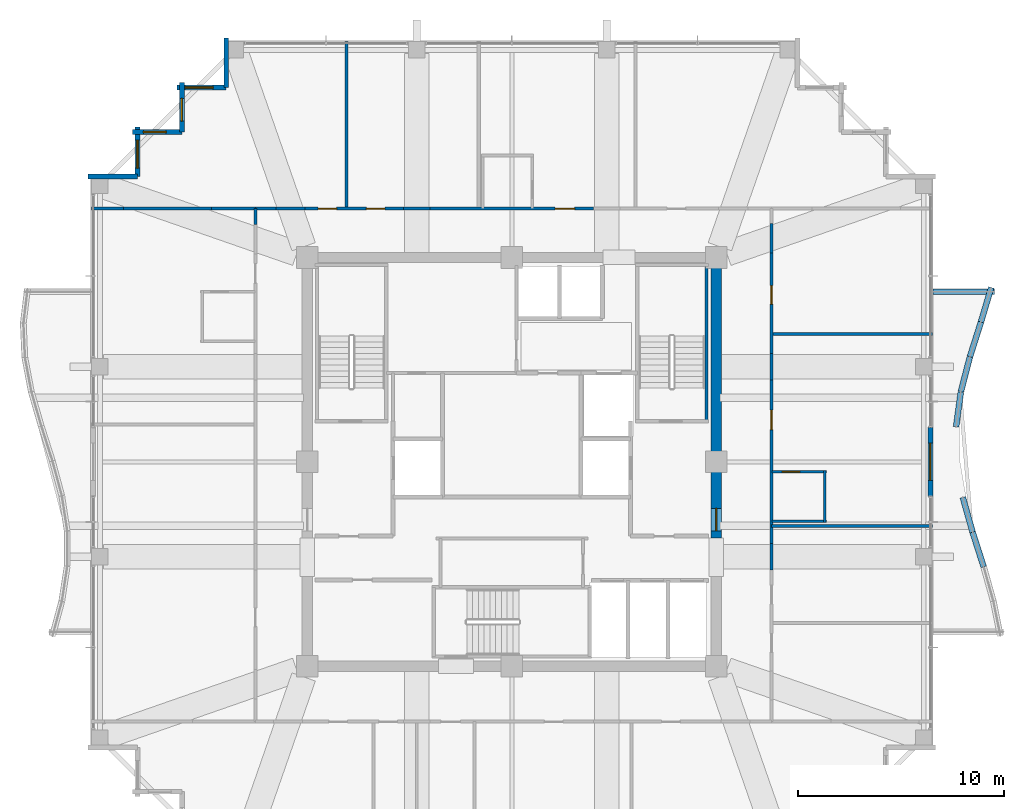
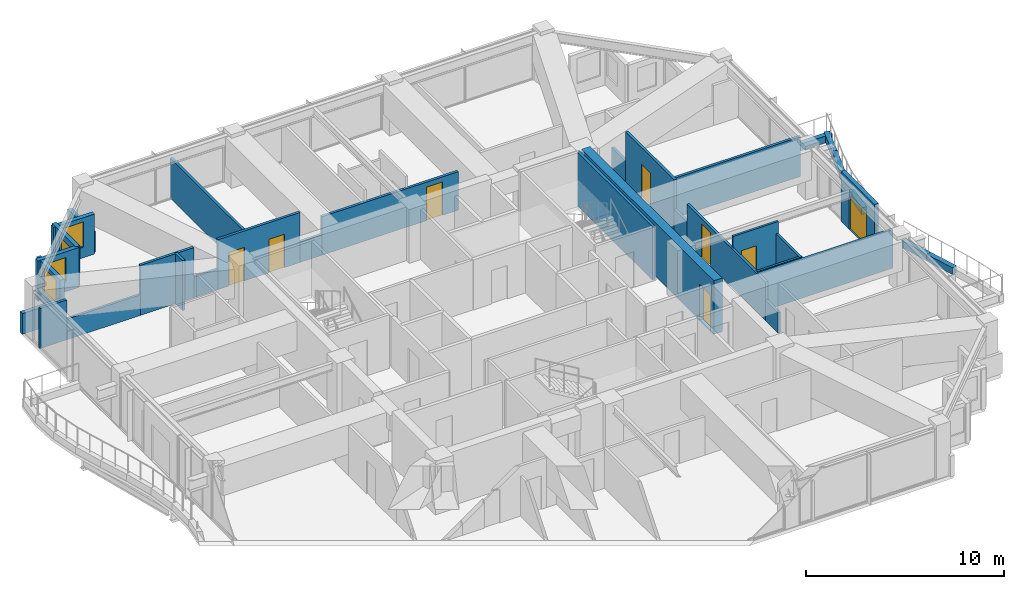
# One storey, part 32 of 35: 36 walls, 8 doors, 4 windows, 12 openings.
"""IFC4 building model written with IfcOpenShell, lengths in metres."""

from ifc_helpers import new_model, si_unit, direction, frame, frame_2d, origin, place, context, subcontext, project, spatial, rectangle, extrude, material, layer, layer_set, type_object, element, fill, save


model = new_model("IFC4")

# Units and contexts
model_context = context("Model", 3, precision=1e-05, world=origin(), true_north=direction((0.0, 1.0)))
body_context = subcontext(model_context, "Body", "Model", "MODEL_VIEW")
ifc_project = project(units=[si_unit("LENGTHUNIT", "METRE"), si_unit("AREAUNIT", "SQUARE_METRE"), si_unit("VOLUMEUNIT", "CUBIC_METRE"), si_unit("PLANEANGLEUNIT", "RADIAN"), si_unit("MASSUNIT", "GRAM", prefix="KILO")], contexts=[model_context])

# Site, building, storey
site_placement = place(None, origin())
site = spatial("IfcSite", under=ifc_project, at=site_placement, CompositionType="ELEMENT")
building_placement = place(site_placement, origin())
building = spatial("IfcBuilding", under=site, at=building_placement, Name="Kolvaren Belvedere", CompositionType="ELEMENT")
storey_placement = place(building_placement, frame((0.0, 0.0, 203.10009765625)))
storey = spatial("IfcBuildingStorey", under=building, at=storey_placement, Name="L59", CompositionType="ELEMENT", Elevation=203.10009765625)

# Wall, opening, door
ifc_material_1 = material(Name="Concrete C50/60", Category="concrete")
ifc_layer_1 = layer(ifc_material_1, 0.5)
ifc_layer_set_1 = layer_set([ifc_layer_1], Name="Concrete C50/60")
wall_type_1 = type_object("IfcWallType", Name="CW-CORE-500", PredefinedType="SHEAR", material=ifc_layer_set_1)
wall_1_placement = place(storey_placement, frame((9.89990234375, -3.699951171875, 0.0), z_axis=(0.0, 0.0, 1.0), x_axis=(0.0, 1.0, 0.0)))
wall_1 = element("IfcWall", 1, at=wall_1_placement, inside=storey, type_object=wall_type_1, Name="L59 East Core Shear Wall 2", PredefinedType="SHEAR", context=body_context, shape_type="SweptSolid", body=[
    extrude(rectangle(XDim=13.349853515625, YDim=0.5, at=frame_2d((6.6748046875, 0.0))), origin(), (0.0, 0.0, 1.0), 3.2998046875),
])
opening_1_placement = place(wall_1_placement, frame((0.35009765625, 0.0, 0.0)))
opening_1 = element("IfcOpeningElement", 2, at=opening_1_placement, cuts=wall_1, Name="Opening D-FD90", PredefinedType="OPENING", context=body_context, shape_type="SweptSolid", body=[
    extrude(rectangle(XDim=1.10009765625, YDim=2.199951171875, at=frame_2d((0.550048828125, 1.10009765625))), frame((0.0, 0.260009765625, 0.0), z_axis=(0.0, -1.0, 0.0), x_axis=(1.0, 0.0, 0.0)), (0.0, 0.0, 1.0), 0.52001953125),
])
ifc_material_2 = material(Name="Painted hollow stainless steel", Category="steel")
door_type_1 = type_object("IfcDoorType", Name="DR-FD90-1100", OperationType="NOTDEFINED", PredefinedType="DOOR", material=ifc_material_2)
door_1_placement = place(opening_1_placement, origin())
door_1 = element("IfcDoor", 3, at=door_1_placement, inside=storey, type_object=door_type_1, Name="L59 East Firefighting Lobby Fire Door", OperationType="SINGLE_SWING_RIGHT", OverallHeight=2.199951171875, OverallWidth=1.10009765625, PredefinedType="DOOR", context=body_context, shape_type="SweptSolid", body=[
    extrude(rectangle(XDim=1.10009765625, YDim=2.199951171875, at=frame_2d((0.550048828125, 1.10009765625))), frame((0.0, 0.02490234375, 0.0), z_axis=(0.0, -1.0, 0.0), x_axis=(1.0, 0.0, 0.0)), (0.0, 0.0, 1.0), 0.050048828125),
])
fill(opening_1, door_1)

# Walls
ifc_material_3 = material(Name="Concrete C50/60", Category="concrete")
ifc_layer_2 = layer(ifc_material_3, 0.159912109375)
ifc_layer_set_2 = layer_set([ifc_layer_2], Name="Concrete C50/60")
wall_type_2 = type_object("IfcWallType", Name="CW-STAIR-160", PredefinedType="SHEAR", material=ifc_layer_set_2)
wall_2_placement = place(storey_placement, frame((9.429931640625, 1.969970703125, 0.0), z_axis=(0.0, 0.0, 1.0), x_axis=(0.0, 1.0, 0.0)))
element("IfcWall", 4, at=wall_2_placement, inside=storey, type_object=wall_type_2, Name="L59 Stair ST-2 East Shear Wall", PredefinedType="SHEAR", context=body_context, shape_type="SweptSolid", body=[
    extrude(rectangle(XDim=7.56005859375, YDim=0.159912109375, at=frame_2d((3.780029296875, 0.0))), origin(), (0.0, 0.0, 1.0), 3.2998046875),
])
ifc_material_4 = material(Name="Gypsum fire-rated partition assembly", Category="gypsum")
ifc_layer_3 = layer(ifc_material_4, 0.14990234375)
ifc_layer_set_3 = layer_set([ifc_layer_3], Name="Gypsum fire-rated partition assembly")
wall_type_3 = type_object("IfcWallType", Name="WL-CORR-150", PredefinedType="PARTITIONING", material=ifc_layer_set_3)
wall_3_placement = place(storey_placement, frame((-12.419921875, 12.260009765625, 0.0), z_axis=(0.0, 0.0, 1.0), x_axis=(1.0, 0.0, 0.0)))
element("IfcWall", 5, at=wall_3_placement, inside=storey, type_object=wall_type_3, Name="L59 North Corridor Wall", PredefinedType="PARTITIONING", context=body_context, shape_type="SweptSolid", body=[
    extrude(rectangle(XDim=0.989501953125, YDim=0.14990234375, at=frame_2d((0.49462890625, 0.0))), origin(), (0.0, 0.0, 1.0), 3.079833984375),
])
wall_4_placement = place(storey_placement, frame((-11.430419921875, 12.260009765625, 0.0), z_axis=(0.0, 0.0, 1.0), x_axis=(1.0, 0.0, 0.0)))
element("IfcWall", 6, at=wall_4_placement, inside=storey, type_object=wall_type_3, Name="L59 North Corridor Wall", PredefinedType="PARTITIONING", context=body_context, shape_type="SweptSolid", body=[
    extrude(rectangle(XDim=1.416748046875, YDim=0.14990234375, at=frame_2d((0.70849609375, 0.0))), origin(), (0.0, 0.0, 1.0), 1.264892578125),
])

# Wall, openings, doors
wall_5_placement = place(storey_placement, frame((-10.013671875, 12.260009765625, 0.0), z_axis=(0.0, 0.0, 1.0), x_axis=(1.0, 0.0, 0.0)))
wall_5 = element("IfcWall", 7, at=wall_5_placement, inside=storey, type_object=wall_type_3, Name="L59 North Corridor Wall", PredefinedType="PARTITIONING", context=body_context, shape_type="SweptSolid", body=[
    extrude(rectangle(XDim=4.771728515625, YDim=0.14990234375, at=frame_2d((2.3857421875, 0.0))), origin(), (0.0, 0.0, 1.0), 3.079833984375),
])
opening_2_placement = place(wall_5_placement, frame((0.632080078125, 0.0, 0.0)))
opening_2 = element("IfcOpeningElement", 8, at=opening_2_placement, cuts=wall_5, Name="Opening D-INT90", PredefinedType="OPENING", context=body_context, shape_type="SweptSolid", body=[
    extrude(rectangle(XDim=0.89990234375, YDim=2.06005859375, at=frame_2d((0.449951171875, 1.030029296875))), frame((0.0, 0.0849609375, 0.0), z_axis=(0.0, -1.0, 0.0), x_axis=(1.0, 0.0, 0.0)), (0.0, 0.0, 1.0), 0.169921875),
])
opening_3_placement = place(wall_5_placement, frame((2.967041015625, 0.0, 0.0)))
opening_3 = element("IfcOpeningElement", 9, at=opening_3_placement, cuts=wall_5, Name="Opening D-INT90", PredefinedType="OPENING", context=body_context, shape_type="SweptSolid", body=[
    extrude(rectangle(XDim=0.89990234375, YDim=2.06005859375, at=frame_2d((0.449951171875, 1.030029296875))), frame((0.0, 0.0849609375, 0.0), z_axis=(0.0, -1.0, 0.0), x_axis=(1.0, 0.0, 0.0)), (0.0, 0.0, 1.0), 0.169921875),
])
ifc_material_5 = material(Name="Stained Pacific white oak", Category="timber")
door_type_2 = type_object("IfcDoorType", Name="DR-INT-900", OperationType="NOTDEFINED", PredefinedType="DOOR", material=ifc_material_5)
door_2_placement = place(opening_2_placement, origin())
door_2 = element("IfcDoor", 10, at=door_2_placement, inside=storey, type_object=door_type_2, Name="L59 Lounge 5910 Door", OperationType="SINGLE_SWING_LEFT", OverallHeight=2.06005859375, OverallWidth=0.89990234375, PredefinedType="DOOR", context=body_context, shape_type="SweptSolid", body=[
    extrude(rectangle(XDim=0.89990234375, YDim=2.06005859375, at=frame_2d((0.449951171875, 1.030029296875))), frame((0.0, 0.02490234375, 0.0), z_axis=(0.0, -1.0, 0.0), x_axis=(1.0, 0.0, 0.0)), (0.0, 0.0, 1.0), 0.050048828125),
])
fill(opening_2, door_2)
door_3_placement = place(opening_3_placement, origin())
door_3 = element("IfcDoor", 11, at=door_3_placement, inside=storey, type_object=door_type_2, Name="L59 Lounge 5911 Door", OperationType="SINGLE_SWING_RIGHT", OverallHeight=2.06005859375, OverallWidth=0.89990234375, PredefinedType="DOOR", context=body_context, shape_type="SweptSolid", body=[
    extrude(rectangle(XDim=0.89990234375, YDim=2.06005859375, at=frame_2d((0.449951171875, 1.030029296875))), frame((0.0, 0.02490234375, 0.0), z_axis=(0.0, -1.0, 0.0), x_axis=(1.0, 0.0, 0.0)), (0.0, 0.0, 1.0), 0.050048828125),
])
fill(opening_3, door_3)

# Wall
wall_6_placement = place(storey_placement, frame((-5.241943359375, 12.260009765625, 0.0), z_axis=(0.0, 0.0, 1.0), x_axis=(1.0, 0.0, 0.0)))
element("IfcWall", 12, at=wall_6_placement, inside=storey, type_object=wall_type_3, Name="L59 North Corridor Wall", PredefinedType="PARTITIONING", context=body_context, shape_type="SweptSolid", body=[
    extrude(rectangle(XDim=1.283935546875, YDim=0.14990234375, at=frame_2d((0.64208984375, 0.0))), origin(), (0.0, 0.0, 1.0), 1.264892578125),
])

# Wall, opening, door
wall_7_placement = place(storey_placement, frame((-3.9580078125, 12.260009765625, 0.0), z_axis=(0.0, 0.0, 1.0), x_axis=(1.0, 0.0, 0.0)))
wall_7 = element("IfcWall", 13, at=wall_7_placement, inside=storey, type_object=wall_type_3, Name="L59 North Corridor Wall", PredefinedType="PARTITIONING", context=body_context, shape_type="SweptSolid", body=[
    extrude(rectangle(XDim=7.916015625, YDim=0.14990234375, at=frame_2d((3.9580078125, 0.0))), origin(), (0.0, 0.0, 1.0), 2.368896484375),
])
opening_4_placement = place(wall_7_placement, frame((6.055419921875, 0.0, 0.0)))
opening_4 = element("IfcOpeningElement", 14, at=opening_4_placement, cuts=wall_7, Name="Opening D-FD60", PredefinedType="OPENING", context=body_context, shape_type="SweptSolid", body=[
    extrude(rectangle(XDim=0.949951171875, YDim=2.06005859375, at=frame_2d((0.47509765625, 1.030029296875))), frame((0.0, 0.0849609375, 0.0), z_axis=(0.0, -1.0, 0.0), x_axis=(1.0, 0.0, 0.0)), (0.0, 0.0, 1.0), 0.169921875),
])
ifc_material_6 = material(Name="Acoustic white-oak fire door leaf", Category="timber")
door_type_3 = type_object("IfcDoorType", Name="DR-FD60-950", OperationType="NOTDEFINED", PredefinedType="DOOR", material=ifc_material_6)
door_4_placement = place(opening_4_placement, origin())
door_4 = element("IfcDoor", 15, at=door_4_placement, inside=storey, type_object=door_type_3, Name="L59 King Guest Room 5912 Entry Door", OperationType="SINGLE_SWING_RIGHT", OverallHeight=2.06005859375, OverallWidth=0.949951171875, PredefinedType="DOOR", context=body_context, shape_type="SweptSolid", body=[
    extrude(rectangle(XDim=0.949951171875, YDim=2.06005859375, at=frame_2d((0.47509765625, 1.030029296875))), frame((0.0, 0.02490234375, 0.0), z_axis=(0.0, -1.0, 0.0), x_axis=(1.0, 0.0, 0.0)), (0.0, 0.0, 1.0), 0.050048828125),
])
fill(opening_4, door_4)

# Walls
wall_8_placement = place(storey_placement, frame((-12.419921875, 11.486083984375, 0.0), z_axis=(0.0, 0.0, 1.0), x_axis=(0.0, 1.0, 0.0)))
element("IfcWall", 16, at=wall_8_placement, inside=storey, type_object=wall_type_3, Name="L59 West Corridor Wall", PredefinedType="PARTITIONING", context=body_context, shape_type="SweptSolid", body=[
    extrude(rectangle(XDim=0.77392578125, YDim=0.14990234375, at=frame_2d((0.386962890625, 0.0))), origin(), (0.0, 0.0, 1.0), 3.079833984375),
])
wall_9_placement = place(storey_placement, frame((12.580078125, -5.241943359375, 0.0), z_axis=(0.0, 0.0, 1.0), x_axis=(0.0, 1.0, 0.0)))
element("IfcWall", 17, at=wall_9_placement, inside=storey, type_object=wall_type_3, Name="L59 East Corridor Wall", PredefinedType="PARTITIONING", context=body_context, shape_type="SweptSolid", body=[
    extrude(rectangle(XDim=1.283935546875, YDim=0.14990234375, at=frame_2d((0.64208984375, 0.0))), origin(), (0.0, 0.0, 1.0), 1.264892578125),
])

# Wall, opening, door
wall_10_placement = place(storey_placement, frame((12.580078125, -3.9580078125, 0.0), z_axis=(0.0, 0.0, 1.0), x_axis=(0.0, 1.0, 0.0)))
wall_10 = element("IfcWall", 18, at=wall_10_placement, inside=storey, type_object=wall_type_3, Name="L59 East Corridor Wall", PredefinedType="PARTITIONING", context=body_context, shape_type="SweptSolid", body=[
    extrude(rectangle(XDim=7.916015625, YDim=0.14990234375, at=frame_2d((3.9580078125, 0.0))), origin(), (0.0, 0.0, 1.0), 2.368896484375),
])
opening_5_placement = place(wall_10_placement, frame((5.512939453125, 0.0, 0.0)))
opening_5 = element("IfcOpeningElement", 19, at=opening_5_placement, cuts=wall_10, Name="Opening D-FD60", PredefinedType="OPENING", context=body_context, shape_type="SweptSolid", body=[
    extrude(rectangle(XDim=0.949951171875, YDim=2.06005859375, at=frame_2d((0.47509765625, 1.030029296875))), frame((0.0, 0.0849609375, 0.0), z_axis=(0.0, -1.0, 0.0), x_axis=(1.0, 0.0, 0.0)), (0.0, 0.0, 1.0), 0.169921875),
])
door_5_placement = place(opening_5_placement, origin())
door_5 = element("IfcDoor", 20, at=door_5_placement, inside=storey, type_object=door_type_3, Name="L59 King Guest Room 5906 Entry Door", OperationType="SINGLE_SWING_RIGHT", OverallHeight=2.06005859375, OverallWidth=0.949951171875, PredefinedType="DOOR", context=body_context, shape_type="SweptSolid", body=[
    extrude(rectangle(XDim=0.949951171875, YDim=2.06005859375, at=frame_2d((0.47509765625, 1.030029296875))), frame((0.0, 0.02490234375, 0.0), z_axis=(0.0, -1.0, 0.0), x_axis=(1.0, 0.0, 0.0)), (0.0, 0.0, 1.0), 0.050048828125),
])
fill(opening_5, door_5)

# Wall
wall_11_placement = place(storey_placement, frame((12.580078125, 3.9580078125, 0.0), z_axis=(0.0, 0.0, 1.0), x_axis=(0.0, 1.0, 0.0)))
element("IfcWall", 21, at=wall_11_placement, inside=storey, type_object=wall_type_3, Name="L59 East Corridor Wall", PredefinedType="PARTITIONING", context=body_context, shape_type="SweptSolid", body=[
    extrude(rectangle(XDim=1.283935546875, YDim=0.14990234375, at=frame_2d((0.64208984375, 0.0))), origin(), (0.0, 0.0, 1.0), 1.264892578125),
])

# Wall, opening, door
wall_12_placement = place(storey_placement, frame((12.580078125, 5.241943359375, 0.0), z_axis=(0.0, 0.0, 1.0), x_axis=(0.0, 1.0, 0.0)))
wall_12 = element("IfcWall", 22, at=wall_12_placement, inside=storey, type_object=wall_type_3, Name="L59 East Corridor Wall", PredefinedType="PARTITIONING", context=body_context, shape_type="SweptSolid", body=[
    extrude(rectangle(XDim=4.883056640625, YDim=0.14990234375, at=frame_2d((2.44140625, 0.0))), origin(), (0.0, 0.0, 1.0), 3.079833984375),
])
opening_6_placement = place(wall_12_placement, frame((2.3974609375, 0.0, 0.0)))
opening_6 = element("IfcOpeningElement", 23, at=opening_6_placement, cuts=wall_12, Name="Opening D-INT90", PredefinedType="OPENING", context=body_context, shape_type="SweptSolid", body=[
    extrude(rectangle(XDim=0.89990234375, YDim=2.06005859375, at=frame_2d((0.449951171875, 1.030029296875))), frame((0.0, 0.0849609375, 0.0), z_axis=(0.0, -1.0, 0.0), x_axis=(1.0, 0.0, 0.0)), (0.0, 0.0, 1.0), 0.169921875),
])
door_6_placement = place(opening_6_placement, origin())
door_6 = element("IfcDoor", 24, at=door_6_placement, inside=storey, type_object=door_type_2, Name="L59 Lounge 5907 Door", OperationType="SINGLE_SWING_LEFT", OverallHeight=2.06005859375, OverallWidth=0.89990234375, PredefinedType="DOOR", context=body_context, shape_type="SweptSolid", body=[
    extrude(rectangle(XDim=0.89990234375, YDim=2.06005859375, at=frame_2d((0.449951171875, 1.030029296875))), frame((0.0, 0.02490234375, 0.0), z_axis=(0.0, -1.0, 0.0), x_axis=(1.0, 0.0, 0.0)), (0.0, 0.0, 1.0), 0.050048828125),
])
fill(opening_6, door_6)

# Wall
wall_13_placement = place(storey_placement, frame((12.580078125, 10.125, 0.0), z_axis=(0.0, 0.0, 1.0), x_axis=(0.0, 1.0, 0.0)))
element("IfcWall", 25, at=wall_13_placement, inside=storey, type_object=wall_type_3, Name="L59 East Corridor Wall", PredefinedType="PARTITIONING", context=body_context, shape_type="SweptSolid", body=[
    extrude(rectangle(XDim=1.416748046875, YDim=0.14990234375, at=frame_2d((0.70849609375, 0.0))), origin(), (0.0, 0.0, 1.0), 1.264892578125),
])

# Wall, opening, door
ifc_material_7 = material(Name="Insulated pale-metal facade wall assembly", Category="aluminium")
ifc_layer_4 = layer(ifc_material_7, 0.239990234375)
ifc_layer_set_4 = layer_set([ifc_layer_4], Name="Insulated pale-metal facade wall assembly")
wall_type_4 = type_object("IfcWallType", Name="WL-EXT-240", PredefinedType="STANDARD", material=ifc_layer_set_4)
wall_14_placement = place(storey_placement, frame((20.280029296875, 1.679931640625, 0.0), z_axis=(0.0, 0.0, 1.0), x_axis=(0.0, -1.0, 0.0)))
wall_14 = element("IfcWall", 26, at=wall_14_placement, inside=storey, type_object=wall_type_4, Name="L59 East Terrace Portal Wall", PredefinedType="STANDARD", context=body_context, shape_type="SweptSolid", body=[
    extrude(rectangle(XDim=3.35986328125, YDim=0.239990234375, at=frame_2d((1.679931640625, 0.0))), origin(), (0.0, 0.0, 1.0), 3.079833984375),
])
opening_7_placement = place(wall_14_placement, frame((0.780029296875, 0.0, 0.0)))
opening_7 = element("IfcOpeningElement", 27, at=opening_7_placement, cuts=wall_14, Name="Opening DB-1800", PredefinedType="OPENING", context=body_context, shape_type="SweptSolid", body=[
    extrude(rectangle(XDim=1.800048828125, YDim=2.199951171875, at=frame_2d((0.89990234375, 1.10009765625))), frame((0.0, 0.1298828125, 0.0), z_axis=(0.0, -1.0, 0.0), x_axis=(1.0, 0.0, 0.0)), (0.0, 0.0, 1.0), 0.260009765625),
])
ifc_material_8 = material(Name="Thermally broken pale-metal aluminium & low-iron glass", Category="aluminium")
door_type_4 = type_object("IfcDoorType", Name="DR-BAL-1800", OperationType="DOUBLE_DOOR_SLIDING", PredefinedType="DOOR", material=ifc_material_8)
door_7_placement = place(opening_7_placement, origin())
door_7 = element("IfcDoor", 28, at=door_7_placement, inside=storey, type_object=door_type_4, Name="L59 East Planted Terrace Sliding Door", OperationType="DOUBLE_DOOR_SLIDING", OverallHeight=2.199951171875, OverallWidth=1.800048828125, PredefinedType="DOOR", context=body_context, shape_type="SweptSolid", body=[
    extrude(rectangle(XDim=1.800048828125, YDim=2.199951171875, at=frame_2d((0.89990234375, 1.10009765625))), frame((0.0, 0.02490234375, 0.0), z_axis=(0.0, -1.0, 0.0), x_axis=(1.0, 0.0, 0.0)), (0.0, 0.0, 1.0), 0.050048828125),
])
fill(opening_7, door_7)

# Wall
wall_15_placement = place(storey_placement, frame((-13.830078125, 18.1298828125, 0.0), z_axis=(0.0, 0.0, 1.0), x_axis=(0.0, 1.0, 0.0)))
element("IfcWall", 29, at=wall_15_placement, inside=storey, type_object=wall_type_4, Name="L59 Serrated Corner Facade Wall 16", PredefinedType="STANDARD", context=body_context, shape_type="SweptSolid", body=[
    extrude(rectangle(XDim=2.39013671875, YDim=0.239990234375, at=frame_2d((1.195068359375, 0.0))), origin(), (0.0, 0.0, 1.0), 1.27490234375),
])

# Wall, opening, window
wall_16_placement = place(storey_placement, frame((-16.219970703125, 18.1298828125, 0.0), z_axis=(0.0, 0.0, 1.0), x_axis=(1.0, 0.0, 0.0)))
wall_16 = element("IfcWall", 30, at=wall_16_placement, inside=storey, type_object=wall_type_4, Name="L59 Serrated Corner Facade Wall 17", PredefinedType="STANDARD", context=body_context, shape_type="SweptSolid", body=[
    extrude(rectangle(XDim=2.389892578125, YDim=0.239990234375, at=frame_2d((1.19482421875, 0.0))), origin(), (0.0, 0.0, 1.0), 2.462890625),
])
opening_8_placement = place(wall_16_placement, frame((0.39990234375, 0.0, 0.64990234375)))
opening_8 = element("IfcOpeningElement", 31, at=opening_8_placement, cuts=wall_16, Name="Opening W-1350", PredefinedType="OPENING", context=body_context, shape_type="SweptSolid", body=[
    extrude(rectangle(XDim=1.35009765625, YDim=1.550048828125, at=frame_2d((0.675048828125, 0.77490234375))), frame((0.0, 0.1298828125, 0.0), z_axis=(0.0, -1.0, 0.0), x_axis=(1.0, 0.0, 0.0)), (0.0, 0.0, 1.0), 0.260009765625),
])
ifc_material_9 = material(Name="Low-iron triple insulated glass", Category="glass")
window_type_1 = type_object("IfcWindowType", Name="WN-CORN-1350", PartitioningType="SINGLE_PANEL", PredefinedType="WINDOW", material=ifc_material_9)
window_1_placement = place(opening_8_placement, origin())
window_1 = element("IfcWindow", 32, at=window_1_placement, inside=storey, type_object=window_type_1, Name="L59 Serrated Corner Vision Window 17", OverallHeight=1.550048828125, OverallWidth=1.35009765625, PartitioningType="SINGLE_PANEL", PredefinedType="WINDOW", context=body_context, shape_type="SweptSolid", body=[
    extrude(rectangle(XDim=1.35009765625, YDim=1.550048828125, at=frame_2d((0.675048828125, 0.77490234375))), frame((0.0, 0.030029296875, 0.0), z_axis=(0.0, -1.0, 0.0), x_axis=(1.0, 0.0, 0.0)), (0.0, 0.0, 1.0), 0.06005859375),
])
fill(opening_8, window_1)

wall_17_placement = place(storey_placement, frame((-15.97998046875, 15.97998046875, 0.0), z_axis=(0.0, 0.0, 1.0), x_axis=(0.0, 1.0, 0.0)))
wall_17 = element("IfcWall", 33, at=wall_17_placement, inside=storey, type_object=wall_type_4, Name="L59 Serrated Corner Facade Wall 18", PredefinedType="STANDARD", context=body_context, shape_type="SweptSolid", body=[
    extrude(rectangle(XDim=2.39013671875, YDim=0.239990234375, at=frame_2d((1.195068359375, 0.0))), origin(), (0.0, 0.0, 1.0), 2.462890625),
])
opening_9_placement = place(wall_17_placement, frame((0.52490234375, 0.0, 0.64990234375)))
opening_9 = element("IfcOpeningElement", 34, at=opening_9_placement, cuts=wall_17, Name="Opening W-1100", PredefinedType="OPENING", context=body_context, shape_type="SweptSolid", body=[
    extrude(rectangle(XDim=1.10009765625, YDim=1.449951171875, at=frame_2d((0.550048828125, 0.72509765625))), frame((0.0, 0.1298828125, 0.0), z_axis=(0.0, -1.0, 0.0), x_axis=(1.0, 0.0, 0.0)), (0.0, 0.0, 1.0), 0.260009765625),
])
ifc_material_10 = material(Name="Low-iron triple insulated glass", Category="glass")
window_type_2 = type_object("IfcWindowType", Name="WN-CORN-1100", PartitioningType="SINGLE_PANEL", PredefinedType="WINDOW", material=ifc_material_10)
window_2_placement = place(opening_9_placement, origin())
window_2 = element("IfcWindow", 35, at=window_2_placement, inside=storey, type_object=window_type_2, Name="L59 Serrated Corner Vision Window 18", OverallHeight=1.449951171875, OverallWidth=1.10009765625, PartitioningType="SINGLE_PANEL", PredefinedType="WINDOW", context=body_context, shape_type="SweptSolid", body=[
    extrude(rectangle(XDim=1.10009765625, YDim=1.449951171875, at=frame_2d((0.550048828125, 0.72509765625))), frame((0.0, 0.030029296875, 0.0), z_axis=(0.0, -1.0, 0.0), x_axis=(1.0, 0.0, 0.0)), (0.0, 0.0, 1.0), 0.06005859375),
])
fill(opening_9, window_2)

wall_18_placement = place(storey_placement, frame((-18.3701171875, 15.97998046875, 0.0), z_axis=(0.0, 0.0, 1.0), x_axis=(1.0, 0.0, 0.0)))
wall_18 = element("IfcWall", 36, at=wall_18_placement, inside=storey, type_object=wall_type_4, Name="L59 Serrated Corner Facade Wall 19", PredefinedType="STANDARD", context=body_context, shape_type="SweptSolid", body=[
    extrude(rectangle(XDim=2.39013671875, YDim=0.239990234375, at=frame_2d((1.195068359375, 0.0))), origin(), (0.0, 0.0, 1.0), 2.462890625),
])
opening_10_placement = place(wall_18_placement, frame((0.52490234375, 0.0, 0.64990234375)))
opening_10 = element("IfcOpeningElement", 37, at=opening_10_placement, cuts=wall_18, Name="Opening W-1100", PredefinedType="OPENING", context=body_context, shape_type="SweptSolid", body=[
    extrude(rectangle(XDim=1.10009765625, YDim=1.449951171875, at=frame_2d((0.550048828125, 0.72509765625))), frame((0.0, 0.1298828125, 0.0), z_axis=(0.0, -1.0, 0.0), x_axis=(1.0, 0.0, 0.0)), (0.0, 0.0, 1.0), 0.260009765625),
])
window_3_placement = place(opening_10_placement, origin())
window_3 = element("IfcWindow", 38, at=window_3_placement, inside=storey, type_object=window_type_2, Name="L59 Serrated Corner Vision Window 19", OverallHeight=1.449951171875, OverallWidth=1.10009765625, PartitioningType="SINGLE_PANEL", PredefinedType="WINDOW", context=body_context, shape_type="SweptSolid", body=[
    extrude(rectangle(XDim=1.10009765625, YDim=1.449951171875, at=frame_2d((0.550048828125, 0.72509765625))), frame((0.0, 0.030029296875, 0.0), z_axis=(0.0, -1.0, 0.0), x_axis=(1.0, 0.0, 0.0)), (0.0, 0.0, 1.0), 0.06005859375),
])
fill(opening_10, window_3)

wall_19_placement = place(storey_placement, frame((-18.1298828125, 13.830078125, 0.0), z_axis=(0.0, 0.0, 1.0), x_axis=(0.0, 1.0, 0.0)))
wall_19 = element("IfcWall", 39, at=wall_19_placement, inside=storey, type_object=wall_type_4, Name="L59 Serrated Corner Facade Wall 20", PredefinedType="STANDARD", context=body_context, shape_type="SweptSolid", body=[
    extrude(rectangle(XDim=2.389892578125, YDim=0.239990234375, at=frame_2d((1.19482421875, 0.0))), origin(), (0.0, 0.0, 1.0), 2.462890625),
])
opening_11_placement = place(wall_19_placement, frame((0.39990234375, 0.0, 0.64990234375)))
opening_11 = element("IfcOpeningElement", 40, at=opening_11_placement, cuts=wall_19, Name="Opening W-1350", PredefinedType="OPENING", context=body_context, shape_type="SweptSolid", body=[
    extrude(rectangle(XDim=1.35009765625, YDim=1.550048828125, at=frame_2d((0.675048828125, 0.77490234375))), frame((0.0, 0.1298828125, 0.0), z_axis=(0.0, -1.0, 0.0), x_axis=(1.0, 0.0, 0.0)), (0.0, 0.0, 1.0), 0.260009765625),
])
window_4_placement = place(opening_11_placement, origin())
window_4 = element("IfcWindow", 41, at=window_4_placement, inside=storey, type_object=window_type_1, Name="L59 Serrated Corner Vision Window 20", OverallHeight=1.550048828125, OverallWidth=1.35009765625, PartitioningType="SINGLE_PANEL", PredefinedType="WINDOW", context=body_context, shape_type="SweptSolid", body=[
    extrude(rectangle(XDim=1.35009765625, YDim=1.550048828125, at=frame_2d((0.675048828125, 0.77490234375))), frame((0.0, 0.030029296875, 0.0), z_axis=(0.0, -1.0, 0.0), x_axis=(1.0, 0.0, 0.0)), (0.0, 0.0, 1.0), 0.06005859375),
])
fill(opening_11, window_4)

# Walls
wall_20_placement = place(storey_placement, frame((-20.52001953125, 13.830078125, 0.0), z_axis=(0.0, 0.0, 1.0), x_axis=(1.0, 0.0, 0.0)))
element("IfcWall", 42, at=wall_20_placement, inside=storey, type_object=wall_type_4, Name="L59 Serrated Corner Facade Wall 21", PredefinedType="STANDARD", context=body_context, shape_type="SweptSolid", body=[
    extrude(rectangle(XDim=2.39013671875, YDim=0.239990234375, at=frame_2d((1.195068359375, 0.0))), origin(), (0.0, 0.0, 1.0), 1.27490234375),
])
ifc_material_11 = material(Name="Gypsum acoustic partition assembly", Category="gypsum")
ifc_layer_5 = layer(ifc_material_11, 0.14990234375)
ifc_layer_set_5 = layer_set([ifc_layer_5], Name="Gypsum acoustic partition assembly")
wall_type_5 = type_object("IfcWallType", Name="WL-PART-150", PredefinedType="PARTITIONING", material=ifc_layer_set_5)
wall_21_placement = place(storey_placement, frame((-20.3798828125, 12.260009765625, 0.0), z_axis=(0.0, 0.0, 1.0), x_axis=(1.0, 0.0, 0.0)))
element("IfcWall", 43, at=wall_21_placement, inside=storey, type_object=wall_type_5, Name="L59 Wing Divider PW-L59-QNW", PredefinedType="PARTITIONING", context=body_context, shape_type="SweptSolid", body=[
    extrude(rectangle(XDim=1.562744140625, YDim=0.14990234375, at=frame_2d((0.78125, 0.0))), origin(), (0.0, 0.0, 1.0), 2.452880859375),
])
wall_22_placement = place(storey_placement, frame((-18.817138671875, 12.260009765625, 0.0), z_axis=(0.0, 0.0, 1.0), x_axis=(1.0, 0.0, 0.0)))
element("IfcWall", 44, at=wall_22_placement, inside=storey, type_object=wall_type_5, Name="L59 Wing Divider PW-L59-QNW", PredefinedType="PARTITIONING", context=body_context, shape_type="SweptSolid", body=[
    extrude(rectangle(XDim=4.28125, YDim=0.14990234375, at=frame_2d((2.140625, 0.0))), origin(), (0.0, 0.0, 1.0), 1.264892578125),
])
wall_23_placement = place(storey_placement, frame((-14.535888671875, 12.260009765625, 0.0), z_axis=(0.0, 0.0, 1.0), x_axis=(1.0, 0.0, 0.0)))
element("IfcWall", 45, at=wall_23_placement, inside=storey, type_object=wall_type_5, Name="L59 Wing Divider PW-L59-QNW", PredefinedType="PARTITIONING", context=body_context, shape_type="SweptSolid", body=[
    extrude(rectangle(XDim=2.115966796875, YDim=0.14990234375, at=frame_2d((1.05810546875, 0.0))), origin(), (0.0, 0.0, 1.0), 3.079833984375),
])
wall_24_placement = place(storey_placement, frame((12.580078125, -3.10009765625, 0.0), z_axis=(0.0, 0.0, 1.0), x_axis=(1.0, 0.0, 0.0)))
element("IfcWall", 46, at=wall_24_placement, inside=storey, type_object=wall_type_5, Name="L59 East Suite Demising Wall 2", PredefinedType="PARTITIONING", context=body_context, shape_type="SweptSolid", body=[
    extrude(rectangle(XDim=7.7998046875, YDim=0.14990234375, at=frame_2d((3.89990234375, 0.0))), origin(), (0.0, 0.0, 1.0), 2.368896484375),
])
wall_25_placement = place(storey_placement, frame((12.580078125, 6.199951171875, 0.0), z_axis=(0.0, 0.0, 1.0), x_axis=(1.0, 0.0, 0.0)))
element("IfcWall", 47, at=wall_25_placement, inside=storey, type_object=wall_type_5, Name="L59 East Suite Demising Wall 3", PredefinedType="PARTITIONING", context=body_context, shape_type="SweptSolid", body=[
    extrude(rectangle(XDim=7.7998046875, YDim=0.14990234375, at=frame_2d((3.89990234375, 0.0))), origin(), (0.0, 0.0, 1.0), 2.452880859375),
])
wall_26_placement = place(storey_placement, frame((-8.0, 12.260009765625, 0.0), z_axis=(0.0, 0.0, 1.0), x_axis=(0.0, 1.0, 0.0)))
element("IfcWall", 48, at=wall_26_placement, inside=storey, type_object=wall_type_5, Name="L59 North Suite Demising Wall 1", PredefinedType="PARTITIONING", context=body_context, shape_type="SweptSolid", body=[
    extrude(rectangle(XDim=8.119873046875, YDim=0.14990234375, at=frame_2d((4.06005859375, 0.0))), origin(), (0.0, 0.0, 1.0), 2.452880859375),
])
ifc_material_12 = material(Name="Precast concrete C40/50", Category="concrete")
ifc_layer_6 = layer(ifc_material_12, 0.300048828125)
ifc_layer_set_6 = layer_set([ifc_layer_6], Name="Precast concrete C40/50")
wall_type_6 = type_object("IfcWallType", Name="WL-PLANTER-300", PredefinedType="PARAPET", material=ifc_layer_set_6)
wall_27_placement = place(storey_placement, frame((22.856201171875, -5.088623046875, -0.0400390625), z_axis=(0.0, 0.0, 1.0), x_axis=(-0.304534629099, 0.952501264923, 0.0)))
element("IfcWall", 49, at=wall_27_placement, inside=storey, type_object=wall_type_6, Name="L59 Precast Structural Planter Wall BAL-E-3", PredefinedType="PARAPET", context=body_context, shape_type="SweptSolid", body=[
    extrude(rectangle(XDim=1.763671875, YDim=0.280029296875, at=frame_2d((0.8818359375, 0.0))), origin(), (0.0, 0.0, 1.0), 0.419921875),
])
wall_28_placement = place(storey_placement, frame((22.3173828125, -3.4033203125, -0.0400390625), z_axis=(0.0, 0.0, 1.0), x_axis=(-0.269764860108, 0.962926227834, 0.0)))
element("IfcWall", 50, at=wall_28_placement, inside=storey, type_object=wall_type_6, Name="L59 Precast Structural Planter Wall BAL-E-4", PredefinedType="PARAPET", context=body_context, shape_type="SweptSolid", body=[
    extrude(rectangle(XDim=1.744873046875, YDim=0.280029296875, at=frame_2d((0.87255859375, 0.0))), origin(), (0.0, 0.0, 1.0), 0.419921875),
])
wall_29_placement = place(storey_placement, frame((21.5205078125, 1.70166015625, -0.0400390625), z_axis=(0.0, 0.0, 1.0), x_axis=(0.134926850989, 0.990855562068, 0.0)))
element("IfcWall", 51, at=wall_29_placement, inside=storey, type_object=wall_type_6, Name="L59 Precast Structural Planter Wall BAL-E-7", PredefinedType="PARAPET", context=body_context, shape_type="SweptSolid", body=[
    extrude(rectangle(XDim=1.695556640625, YDim=0.280029296875, at=frame_2d((0.84765625, 0.0))), origin(), (0.0, 0.0, 1.0), 0.419921875),
])
wall_30_placement = place(storey_placement, frame((21.7529296875, 3.400146484375, -0.0400390625), z_axis=(0.0, 0.0, 1.0), x_axis=(0.250439664624, 0.968132209145, 0.0)))
element("IfcWall", 52, at=wall_30_placement, inside=storey, type_object=wall_type_6, Name="L59 Precast Structural Planter Wall BAL-E-8", PredefinedType="PARAPET", context=body_context, shape_type="SweptSolid", body=[
    extrude(rectangle(XDim=1.7353515625, YDim=0.280029296875, at=frame_2d((0.86767578125, 0.0))), origin(), (0.0, 0.0, 1.0), 0.419921875),
])
wall_31_placement = place(storey_placement, frame((22.18994140625, 5.08837890625, -0.0400390625), z_axis=(0.0, 0.0, 1.0), x_axis=(0.302397356111, 0.953181954832, 0.0)))
element("IfcWall", 53, at=wall_31_placement, inside=storey, type_object=wall_type_6, Name="L59 Precast Structural Planter Wall BAL-E-9", PredefinedType="PARAPET", context=body_context, shape_type="SweptSolid", body=[
    extrude(rectangle(XDim=1.762451171875, YDim=0.280029296875, at=frame_2d((0.88134765625, 0.0))), origin(), (0.0, 0.0, 1.0), 0.419921875),
])
wall_32_placement = place(storey_placement, frame((22.721923828125, 6.765625, -0.0400390625), z_axis=(0.0, 0.0, 1.0), x_axis=(0.28500831833, 0.958525043221, 0.0)))
element("IfcWall", 54, at=wall_32_placement, inside=storey, type_object=wall_type_6, Name="L59 Precast Structural Planter Wall BAL-E-10", PredefinedType="PARAPET", context=body_context, shape_type="SweptSolid", body=[
    extrude(rectangle(XDim=1.752685546875, YDim=0.280029296875, at=frame_2d((0.87646484375, 0.0))), origin(), (0.0, 0.0, 1.0), 0.419921875),
])
wall_33_placement = place(storey_placement, frame((23.374755859375, 8.239990234375, -0.0400390625), z_axis=(0.0, 0.0, 1.0), x_axis=(-1.0, 0.0, 0.0)))
element("IfcWall", 55, at=wall_33_placement, inside=storey, type_object=wall_type_6, Name="L59 Precast Structural Planter Wall BAL-E-11", PredefinedType="PARAPET", context=body_context, shape_type="SweptSolid", body=[
    extrude(rectangle(XDim=2.974853515625, YDim=0.280029296875, at=frame_2d((1.4873046875, 0.0))), origin(), (0.0, 0.0, 1.0), 0.419921875),
])

# Wall, opening, door
ifc_material_13 = material(Name="Moisture-resistant gypsum partition", Category="gypsum")
ifc_layer_7 = layer(ifc_material_13, 0.125)
ifc_layer_set_7 = layer_set([ifc_layer_7], Name="Moisture-resistant gypsum partition")
wall_type_7 = type_object("IfcWallType", Name="WL-WET-125", PredefinedType="PARTITIONING", material=ifc_layer_set_7)
wall_34_placement = place(storey_placement, frame((12.594970703125, -0.486083984375, 0.0), z_axis=(0.0, 0.0, 1.0), x_axis=(1.0, 0.0, 0.0)))
wall_34 = element("IfcWall", 56, at=wall_34_placement, inside=storey, type_object=wall_type_7, Name="L59 Bathroom Partition PW-L59-BTH-6-N", PredefinedType="PARTITIONING", context=body_context, shape_type="SweptSolid", body=[
    extrude(rectangle(XDim=2.64013671875, YDim=0.125, at=frame_2d((1.320068359375, 0.0))), origin(), (0.0, 0.0, 1.0), 3.079833984375),
])
opening_12_placement = place(wall_34_placement, frame((0.5, 0.0, 0.0)))
opening_12 = element("IfcOpeningElement", 57, at=opening_12_placement, cuts=wall_34, Name="Opening D-BTH85", PredefinedType="OPENING", context=body_context, shape_type="SweptSolid", body=[
    extrude(rectangle(XDim=0.85009765625, YDim=2.030029296875, at=frame_2d((0.425048828125, 1.01513671875))), frame((0.0, 0.072509765625, 0.0), z_axis=(0.0, -1.0, 0.0), x_axis=(1.0, 0.0, 0.0)), (0.0, 0.0, 1.0), 0.14501953125),
])
ifc_material_14 = material(Name="Moisture-sealed Pacific white oak", Category="timber")
door_type_5 = type_object("IfcDoorType", Name="DR-BATH-850", OperationType="NOTDEFINED", PredefinedType="DOOR", material=ifc_material_14)
door_8_placement = place(opening_12_placement, origin())
door_8 = element("IfcDoor", 58, at=door_8_placement, inside=storey, type_object=door_type_5, Name="L59 En-Suite Bathroom 5906 Door", OperationType="SINGLE_SWING_LEFT", OverallHeight=2.030029296875, OverallWidth=0.85009765625, PredefinedType="DOOR", context=body_context, shape_type="SweptSolid", body=[
    extrude(rectangle(XDim=0.85009765625, YDim=2.030029296875, at=frame_2d((0.425048828125, 1.01513671875))), frame((0.0, 0.02490234375, 0.0), z_axis=(0.0, -1.0, 0.0), x_axis=(1.0, 0.0, 0.0)), (0.0, 0.0, 1.0), 0.050048828125),
])
fill(opening_12, door_8)

# Walls
wall_35_placement = place(storey_placement, frame((15.155029296875, -2.946044921875, 0.0), z_axis=(0.0, 0.0, 1.0), x_axis=(0.0, 1.0, 0.0)))
element("IfcWall", 59, at=wall_35_placement, inside=storey, type_object=wall_type_7, Name="L59 Bathroom Partition PW-L59-BTH-6-V", PredefinedType="PARTITIONING", context=body_context, shape_type="SweptSolid", body=[
    extrude(rectangle(XDim=2.52001953125, YDim=0.125, at=frame_2d((1.260009765625, 0.0))), origin(), (0.0, 0.0, 1.0), 2.368896484375),
])
wall_36_placement = place(storey_placement, frame((12.594970703125, -2.885986328125, 0.0), z_axis=(0.0, 0.0, 1.0), x_axis=(1.0, 0.0, 0.0)))
element("IfcWall", 60, at=wall_36_placement, inside=storey, type_object=wall_type_7, Name="L59 Bathroom Partition PW-L59-BTH-6-S", PredefinedType="PARTITIONING", context=body_context, shape_type="SweptSolid", body=[
    extrude(rectangle(XDim=2.64013671875, YDim=0.125, at=frame_2d((1.320068359375, 0.0))), origin(), (0.0, 0.0, 1.0), 2.368896484375),
])

save(model, "model.ifc")
